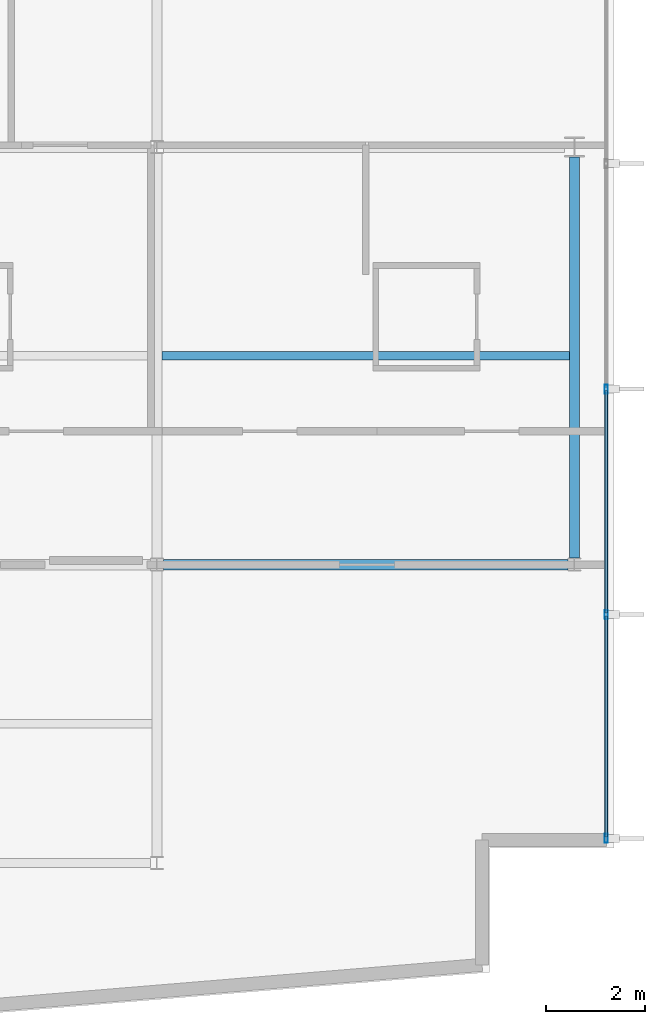
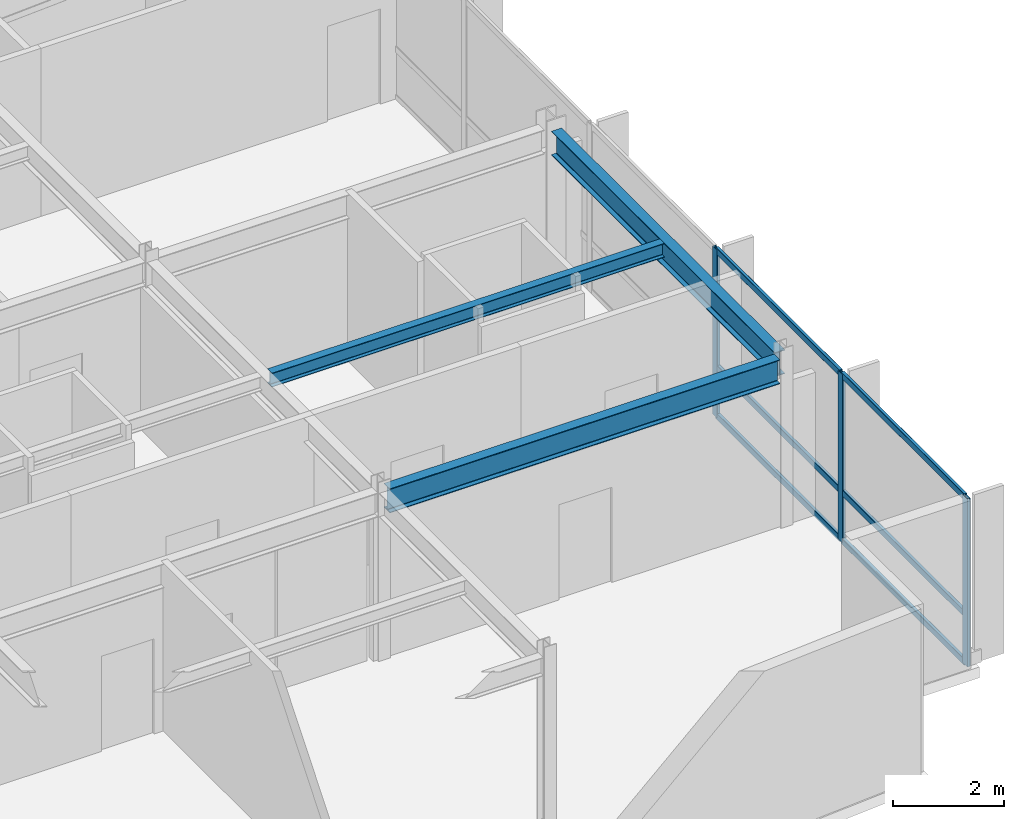
# One storey, part 5 of 16: 9 members, 3 beams, 1 element without a shape of its own.
"""IFC4 building model written with IfcOpenShell, lengths in metres."""

import ifcopenshell
import ifcopenshell.guid

model = None  # the IFC model being written
_history = None  # IfcOwnerHistory: only IFC2X3 demands one
_inside = {}  # id of a spatial element -> (the spatial element, [elements in it])
_under = {}  # id of a project, library or spatial element -> (it, [spatial elements below it])
_declared = {}  # id of a project -> (the project, [libraries it declares])
_typed = {}  # id of a type object -> (the type object, [elements of that type])
_made_of = {}  # id of a material, layer set ... -> (it, [elements and type objects made of it])


def new_model(schema):
    """Start an empty IFC model of exactly this schema.

    Asked for "IFC4X3", IfcOpenShell would pick the latest addendum, in which some entities
    have other attributes; the version numbers below select the first issue.
    IFC2X3 requires an IfcOwnerHistory on every rooted entity: one is made here for all.
    """
    global model, _history
    if schema == "IFC4X3":
        model = ifcopenshell.file(schema_version=(4, 3, 0, 0))
    else:
        model = ifcopenshell.file(schema=schema)
    _inside.clear()
    _under.clear()
    _declared.clear()
    _typed.clear()
    _made_of.clear()
    _history = None
    if model.schema == "IFC2X3":
        org = make("IfcOrganization", Name="unknown")
        user = make(
            "IfcPersonAndOrganization",
            ThePerson=make("IfcPerson", FamilyName="unknown"),
            TheOrganization=org,
        )
        app = make(
            "IfcApplication",
            ApplicationDeveloper=org,
            Version="unknown",
            ApplicationFullName="unknown",
            ApplicationIdentifier="unknown",
        )
        _history = make(
            "IfcOwnerHistory",
            OwningUser=user,
            OwningApplication=app,
            ChangeAction="ADDED",
            CreationDate=0,
        )
    return model


def make(cls, **values):
    """One entity of the class cls with the attributes given. An attribute that is None is left unset."""
    return model.create_entity(
        cls, **{name: value for name, value in values.items() if value is not None}
    )


def rooted(cls, **values):
    """An entity with a GlobalId (a new one), such as an element, a storey or a relation."""
    return make(cls, GlobalId=ifcopenshell.guid.new(), OwnerHistory=_history, **values)


def si_unit(unit_type, name, prefix=None):
    """IfcSIUnit, for example si_unit("LENGTHUNIT", "METRE", prefix="MILLI")."""
    return make("IfcSIUnit", UnitType=unit_type, Prefix=prefix, Name=name)


def assignment(units):
    """IfcUnitAssignment: the units of a project."""
    return None if units is None else make("IfcUnitAssignment", Units=units)


def point(xyz):
    """IfcCartesianPoint."""
    return None if xyz is None else make("IfcCartesianPoint", Coordinates=xyz)


def direction(xyz):
    """IfcDirection."""
    return None if xyz is None else make("IfcDirection", DirectionRatios=xyz)


def frame(location, z_axis=None, x_axis=None):
    """IfcAxis2Placement3D, a coordinate frame: its origin and axes. An axis left out is left unset."""
    return make(
        "IfcAxis2Placement3D",
        Location=point(location),
        Axis=direction(z_axis),
        RefDirection=direction(x_axis),
    )


def frame_2d(location, x_axis=None):
    """IfcAxis2Placement2D, a coordinate frame in the plane: its origin and x axis."""
    return make(
        "IfcAxis2Placement2D", Location=point(location), RefDirection=direction(x_axis)
    )


def origin():
    """The frame at (0, 0, 0) with its axes left unset."""
    return frame((0.0, 0.0, 0.0))


def origin_2d():
    """The frame at (0, 0) in the plane with its x axis left unset."""
    return frame_2d((0.0, 0.0))


def place(relative_to, where):
    """IfcLocalPlacement: puts the frame where relative to a parent placement (None: the world)."""
    return make(
        "IfcLocalPlacement", PlacementRelTo=relative_to, RelativePlacement=where
    )


def context(
    kind, dimensions, precision=None, world=None, true_north=None, identifier=None
):
    """IfcGeometricRepresentationContext, for example the 3D "Model" context."""
    return make(
        "IfcGeometricRepresentationContext",
        ContextIdentifier=identifier,
        ContextType=kind,
        CoordinateSpaceDimension=dimensions,
        Precision=precision,
        WorldCoordinateSystem=world,
        TrueNorth=true_north,
    )


def subcontext(parent, identifier, kind, view, scale=None):
    """IfcGeometricRepresentationSubContext, for example "Body" below "Model"."""
    return make(
        "IfcGeometricRepresentationSubContext",
        ContextIdentifier=identifier,
        ContextType=kind,
        ParentContext=parent,
        TargetScale=scale,
        TargetView=view,
    )


def project(units=None, contexts=None):
    """IfcProject with its units and contexts."""
    return rooted(
        "IfcProject",
        Name="project",
        RepresentationContexts=contexts,
        UnitsInContext=assignment(units),
    )


def spatial(cls, under=None, at=None, **own):
    """A site, building, storey or space (cls), placed at a placement, below another one or the project."""
    s = rooted(cls, ObjectPlacement=at, **own)
    if under is not None:
        _under.setdefault(under.id(), (under, []))[1].append(s)
    return s


def profile(cls, at=None, kind="AREA", **sizes):
    """A parametric profile (cls). Its sizes go by their IFC names, for example OverallWidth=200.0."""
    return make(cls, ProfileType=kind, Position=at, **sizes)


def hollow_rectangle(**sizes):
    """IfcRectangleHollowProfileDef."""
    return profile("IfcRectangleHollowProfileDef", **sizes)


def i_section(**sizes):
    """IfcIShapeProfileDef."""
    return profile("IfcIShapeProfileDef", **sizes)


def extrude(swept, where, along, depth):
    """IfcExtrudedAreaSolid: the profile swept, set in the frame where, extruded along a direction by depth."""
    return make(
        "IfcExtrudedAreaSolid",
        SweptArea=swept,
        Position=where,
        ExtrudedDirection=direction(along),
        Depth=depth,
    )


def shape(context_of_items, identifier, shape_type, items):
    """IfcShapeRepresentation: the items that make up one representation, for example the "Body"."""
    return make(
        "IfcShapeRepresentation",
        ContextOfItems=context_of_items,
        RepresentationIdentifier=identifier,
        RepresentationType=shape_type,
        Items=items,
    )


def material(Name=None, Category=None):
    """IfcMaterial."""
    return make("IfcMaterial", Name=Name, Category=Category)


def layer(
    of_material, thickness, ventilated=None, Name=None, Category=None, Priority=None
):
    """IfcMaterialLayer: one layer of a wall or slab, of a material (None: an air gap)."""
    return make(
        "IfcMaterialLayer",
        Material=of_material,
        LayerThickness=thickness,
        IsVentilated=ventilated,
        Name=Name,
        Category=Category,
        Priority=Priority,
    )


def layer_set(layers, Name=None):
    """IfcMaterialLayerSet."""
    return make("IfcMaterialLayerSet", MaterialLayers=layers, LayerSetName=Name)


def material_profile(
    of_material, cross_section, Name=None, Category=None, Priority=None
):
    """IfcMaterialProfile: a cross section and its material."""
    return make(
        "IfcMaterialProfile",
        Name=Name,
        Material=of_material,
        Profile=cross_section,
        Priority=Priority,
        Category=Category,
    )


def profile_set(profiles, Name=None, composite=None):
    """IfcMaterialProfileSet."""
    return make(
        "IfcMaterialProfileSet",
        Name=Name,
        MaterialProfiles=profiles,
        CompositeProfile=composite,
    )


def made_of(thing, what):
    """Note that an element or type object is made of a material, layer set ...; save() writes the relation."""
    if what is not None:
        _made_of.setdefault(what.id(), (what, []))[1].append(thing)
    return thing


def type_object(cls, material=None, **own):
    """A type object (cls), such as IfcWallType, which elements share."""
    return made_of(rooted(cls, **own), material)


def element(
    cls,
    number,
    at=None,
    inside=None,
    cuts=None,
    type_object=None,
    material=None,
    context=None,
    identifier="Body",
    shape_type=None,
    held_by="IfcProductDefinitionShape",
    body=None,
    shapes=None,
    **own,
):
    """One element of the class cls, such as IfcWall. Its Tag is "e" and its number.

    at: its placement. inside: the storey or other place that contains it. cuts: it is an
    opening in that element (IfcRelVoidsElement). A single representation is given by context,
    identifier, shape_type and body (its items); several are given by shapes. held_by: the class
    of the entity that holds the representations. save() writes the other relations.
    """
    e = rooted(cls, Tag="e%d" % number, ObjectPlacement=at, **own)
    if body is not None:
        shapes = [shape(context, identifier, shape_type, body)]
    if shapes is not None:
        e.Representation = make(held_by, Representations=shapes)
    if inside is not None:
        _inside.setdefault(inside.id(), (inside, []))[1].append(e)
    if cuts is not None:
        rooted(
            "IfcRelVoidsElement", RelatingBuildingElement=cuts, RelatedOpeningElement=e
        )
    if type_object is not None:
        _typed.setdefault(type_object.id(), (type_object, []))[1].append(e)
    return made_of(e, material)


def aggregate(whole, parts):
    """IfcRelAggregates: a whole, such as a stair, and the parts it consists of."""
    return rooted("IfcRelAggregates", RelatingObject=whole, RelatedObjects=parts)


def save(model, path):
    """Write the relations noted so far, then the file.

    IfcRelAggregates (storeys below a building ...), IfcRelContainedInSpatialStructure (elements
    in a storey), IfcRelDefinesByType, IfcRelAssociatesMaterial and IfcRelDeclares: one each for
    every whole, place, type object, material and project.
    """
    for whole, parts in _under.values():
        aggregate(whole, parts)
    for where, things in _inside.values():
        rooted(
            "IfcRelContainedInSpatialStructure",
            RelatedElements=things,
            RelatingStructure=where,
        )
    for kind, things in _typed.values():
        rooted("IfcRelDefinesByType", RelatedObjects=things, RelatingType=kind)
    for what, things in _made_of.values():
        rooted("IfcRelAssociatesMaterial", RelatedObjects=things, RelatingMaterial=what)
    for by, libraries in _declared.values():
        rooted("IfcRelDeclares", RelatingContext=by, RelatedDefinitions=libraries)
    model.write(path)


model = new_model("IFC4")

# Units and contexts
model_context = context("Model", 3, precision=1e-05, world=origin(), true_north=direction((0.0, 1.0)))
body_context = subcontext(model_context, "Body", "Model", "MODEL_VIEW")
ifc_project = project(units=[si_unit("LENGTHUNIT", "METRE"), si_unit("AREAUNIT", "SQUARE_METRE"), si_unit("VOLUMEUNIT", "CUBIC_METRE"), si_unit("PLANEANGLEUNIT", "RADIAN"), si_unit("MASSUNIT", "GRAM", prefix="KILO")], contexts=[model_context])

# Site, building, storey
site_placement = place(None, origin())
site = spatial("IfcSite", under=ifc_project, at=site_placement, CompositionType="ELEMENT")
building_placement = place(site_placement, origin())
building = spatial("IfcBuilding", under=site, at=building_placement, Name="Varnakote Quay Hospital", CompositionType="ELEMENT")
storey_placement = place(building_placement, frame((0.0, 0.0, 188.14990234375)))
storey = spatial("IfcBuildingStorey", under=building, at=storey_placement, Name="L46", CompositionType="ELEMENT", Elevation=188.14990234375)

# Beams
ifc_material_1 = material(Name="Structural steel AS/NZS 3679.1 Grade 350 L0 (fy 340 MPa)", Category="steel")
ifc_material_profile_1 = material_profile(ifc_material_1, i_section(OverallWidth=0.208984375, OverallDepth=0.532958984375, WebThickness=0.01025390625, FlangeThickness=0.015625, FilletRadius=0.013916015625, at=origin_2d()), Name="530UB92.4")
ifc_profile_set_1 = profile_set([ifc_material_profile_1], Name="Structural steel AS/NZS 3679.1 Grade 350 L0 (fy 340 MPa)")
beam_type_1 = type_object("IfcBeamType", Name="BM-STL-530UB92-4", PredefinedType="BEAM", material=ifc_profile_set_1)
beam_1_placement = place(storey_placement, frame((42.1279296875, 12.0, 3.443603515625), z_axis=(1.0, 0.0, 0.0), x_axis=(0.0, 1.0, 0.0)))
element("IfcBeam", 1, at=beam_1_placement, inside=storey, type_object=beam_type_1, Name="L46 Primary Floor Beam", PredefinedType="BEAM", context=body_context, shape_type="SweptSolid", body=[
    extrude(i_section(OverallWidth=0.208984375, OverallDepth=0.532958984375, WebThickness=0.01025390625, FlangeThickness=0.015625, FilletRadius=0.013916015625, at=origin_2d()), origin(), (0.0, 0.0, 1.0), 8.14404296875),
])
beam_2_placement = place(storey_placement, frame((50.39990234375, 12.1298828125, 3.443603515625), z_axis=(0.0, 1.0, 0.0), x_axis=(-1.0, 0.0, 0.0)))
element("IfcBeam", 2, at=beam_2_placement, inside=storey, type_object=beam_type_1, Name="L46 Primary Tie Beam", PredefinedType="BEAM", context=body_context, shape_type="SweptSolid", body=[
    extrude(i_section(OverallWidth=0.208984375, OverallDepth=0.532958984375, WebThickness=0.01025390625, FlangeThickness=0.015625, FilletRadius=0.013916015625, at=origin_2d()), origin(), (0.0, 0.0, 1.0), 8.068115234375),
])

# Curtain wall, members
ifc_material_2 = material(Name="Anodised aluminium 6063-T6 Bronze", Category="aluminium")
ifc_layer = layer(ifc_material_2, 0.219970703125)
ifc_layer_set = layer_set([ifc_layer], Name="Anodised aluminium 6063-T6 Bronze")
curtain_wall_type = type_object("IfcCurtainWallType", Name="CW-SYS-4", PredefinedType="NOTDEFINED", material=ifc_layer_set)
curtain_wall_placement = place(storey_placement, origin())
curtain_wall = element("IfcCurtainWall", 3, at=curtain_wall_placement, inside=storey, type_object=curtain_wall_type, Name="L46 Unitised Bronze Curtain Wall 1", PredefinedType="NOTDEFINED")
ifc_material_3 = material(Name="Anodised aluminium 6063-T6 Bronze", Category="aluminium")
ifc_material_profile_2 = material_profile(ifc_material_3, hollow_rectangle(XDim=0.06494140625, YDim=0.179931640625, WallThickness=0.00390625, InnerFilletRadius=0.00390625, OuterFilletRadius=0.008056640625, at=origin_2d()), Name="CW-MULL-180x65")
ifc_profile_set_2 = profile_set([ifc_material_profile_2], Name="Anodised aluminium 6063-T6 Bronze")
member_type_1 = type_object("IfcMemberType", Name="CW-MULL-180x65", PredefinedType="MULLION", material=ifc_profile_set_2)
member_1_placement = place(storey_placement, frame((51.0400390625, 6.492431640625, 0.0), z_axis=(0.0, 0.0, 1.0), x_axis=(-1.0, 0.0, 0.0)))
member_1 = element("IfcMember", 4, at=member_1_placement, type_object=member_type_1, Name="-4-L46-1 mullion 1", PredefinedType="MULLION", context=body_context, shape_type="SweptSolid", body=[
    extrude(hollow_rectangle(XDim=0.06494140625, YDim=0.179931640625, WallThickness=0.00390625, InnerFilletRadius=0.00390625, OuterFilletRadius=0.008056640625, at=origin_2d()), origin(), (0.0, 0.0, 1.0), 3.710205078125),
])
member_2_placement = place(storey_placement, frame((51.0400390625, 10.99609375, 0.0), z_axis=(0.0, 0.0, 1.0), x_axis=(-1.0, 0.0, 0.0)))
member_2 = element("IfcMember", 5, at=member_2_placement, type_object=member_type_1, Name="-4-L46-1 mullion 2", PredefinedType="MULLION", context=body_context, shape_type="SweptSolid", body=[
    extrude(hollow_rectangle(XDim=0.06494140625, YDim=0.179931640625, WallThickness=0.00390625, InnerFilletRadius=0.00390625, OuterFilletRadius=0.008056640625, at=origin_2d()), origin(), (0.0, 0.0, 1.0), 3.710205078125),
])
member_3_placement = place(storey_placement, frame((51.0400390625, 15.531982421875, 0.0), z_axis=(0.0, 0.0, 1.0), x_axis=(-1.0, 0.0, 0.0)))
member_3 = element("IfcMember", 6, at=member_3_placement, type_object=member_type_1, Name="-4-L46-1 mullion 3", PredefinedType="MULLION", context=body_context, shape_type="SweptSolid", body=[
    extrude(hollow_rectangle(XDim=0.06494140625, YDim=0.179931640625, WallThickness=0.00390625, InnerFilletRadius=0.00390625, OuterFilletRadius=0.008056640625, at=origin_2d()), origin(), (0.0, 0.0, 1.0), 3.710205078125),
])
ifc_material_4 = material(Name="Anodised aluminium 6063-T6 Bronze", Category="aluminium")
ifc_material_profile_3 = material_profile(ifc_material_4, hollow_rectangle(XDim=0.06494140625, YDim=0.139892578125, WallThickness=0.00390625, InnerFilletRadius=0.00390625, OuterFilletRadius=0.007568359375, at=origin_2d()), Name="CW-TRAN-140x65")
ifc_profile_set_3 = profile_set([ifc_material_profile_3], Name="Anodised aluminium 6063-T6 Bronze")
member_type_2 = type_object("IfcMemberType", Name="CW-TRAN-140x65", PredefinedType="USERDEFINED", material=ifc_profile_set_3)
member_4_placement = place(storey_placement, frame((51.0400390625, 6.52490234375, 0.03271484375), z_axis=(0.0, 1.0, 0.0), x_axis=(-1.0, 0.0, 0.0)))
member_4 = element("IfcMember", 7, at=member_4_placement, type_object=member_type_2, Name="-4-L46-1 transom 1.1", ObjectType="TRANSOM", PredefinedType="USERDEFINED", context=body_context, shape_type="SweptSolid", body=[
    extrude(hollow_rectangle(XDim=0.06494140625, YDim=0.139892578125, WallThickness=0.00390625, InnerFilletRadius=0.00390625, OuterFilletRadius=0.007568359375, at=origin_2d()), origin(), (0.0, 0.0, 1.0), 4.4384765625),
])
member_5_placement = place(storey_placement, frame((51.0400390625, 6.52490234375, 1.10009765625), z_axis=(0.0, 1.0, 0.0), x_axis=(-1.0, 0.0, 0.0)))
member_5 = element("IfcMember", 8, at=member_5_placement, type_object=member_type_2, Name="-4-L46-1 transom 1.2", ObjectType="TRANSOM", PredefinedType="USERDEFINED", context=body_context, shape_type="SweptSolid", body=[
    extrude(hollow_rectangle(XDim=0.06494140625, YDim=0.139892578125, WallThickness=0.00390625, InnerFilletRadius=0.00390625, OuterFilletRadius=0.007568359375, at=origin_2d()), origin(), (0.0, 0.0, 1.0), 4.4384765625),
])
member_6_placement = place(storey_placement, frame((51.0400390625, 6.52490234375, 3.677490234375), z_axis=(0.0, 1.0, 0.0), x_axis=(-1.0, 0.0, 0.0)))
member_6 = element("IfcMember", 9, at=member_6_placement, type_object=member_type_2, Name="-4-L46-1 transom 1.3", ObjectType="TRANSOM", PredefinedType="USERDEFINED", context=body_context, shape_type="SweptSolid", body=[
    extrude(hollow_rectangle(XDim=0.06494140625, YDim=0.139892578125, WallThickness=0.00390625, InnerFilletRadius=0.00390625, OuterFilletRadius=0.007568359375, at=origin_2d()), origin(), (0.0, 0.0, 1.0), 4.4384765625),
])
member_7_placement = place(storey_placement, frame((51.0400390625, 11.028564453125, 0.03271484375), z_axis=(0.0, 1.0, 0.0), x_axis=(-1.0, 0.0, 0.0)))
member_7 = element("IfcMember", 10, at=member_7_placement, type_object=member_type_2, Name="-4-L46-1 transom 2.1", ObjectType="TRANSOM", PredefinedType="USERDEFINED", context=body_context, shape_type="SweptSolid", body=[
    extrude(hollow_rectangle(XDim=0.06494140625, YDim=0.139892578125, WallThickness=0.00390625, InnerFilletRadius=0.00390625, OuterFilletRadius=0.007568359375, at=origin_2d()), origin(), (0.0, 0.0, 1.0), 4.470947265625),
])
member_8_placement = place(storey_placement, frame((51.0400390625, 11.028564453125, 1.10009765625), z_axis=(0.0, 1.0, 0.0), x_axis=(-1.0, 0.0, 0.0)))
member_8 = element("IfcMember", 11, at=member_8_placement, type_object=member_type_2, Name="-4-L46-1 transom 2.2", ObjectType="TRANSOM", PredefinedType="USERDEFINED", context=body_context, shape_type="SweptSolid", body=[
    extrude(hollow_rectangle(XDim=0.06494140625, YDim=0.139892578125, WallThickness=0.00390625, InnerFilletRadius=0.00390625, OuterFilletRadius=0.007568359375, at=origin_2d()), origin(), (0.0, 0.0, 1.0), 4.470947265625),
])
member_9_placement = place(storey_placement, frame((51.0400390625, 11.028564453125, 3.677490234375), z_axis=(0.0, 1.0, 0.0), x_axis=(-1.0, 0.0, 0.0)))
member_9 = element("IfcMember", 12, at=member_9_placement, type_object=member_type_2, Name="-4-L46-1 transom 2.3", ObjectType="TRANSOM", PredefinedType="USERDEFINED", context=body_context, shape_type="SweptSolid", body=[
    extrude(hollow_rectangle(XDim=0.06494140625, YDim=0.139892578125, WallThickness=0.00390625, InnerFilletRadius=0.00390625, OuterFilletRadius=0.007568359375, at=origin_2d()), origin(), (0.0, 0.0, 1.0), 4.470947265625),
])
aggregate(curtain_wall, [member_1, member_2, member_3, member_4, member_5, member_6, member_7, member_8, member_9])

# Beam
ifc_material_5 = material(Name="Structural steel AS/NZS 3679.1 Grade 350 L0 (fy 340 MPa)", Category="steel")
ifc_material_profile_4 = material_profile(ifc_material_5, i_section(OverallWidth=0.166015625, OverallDepth=0.306884765625, WebThickness=0.006591796875, FlangeThickness=0.01171875, FilletRadius=0.011474609375, at=origin_2d()), Name="310UB46.2")
ifc_profile_set_4 = profile_set([ifc_material_profile_4], Name="Structural steel AS/NZS 3679.1 Grade 350 L0 (fy 340 MPa)")
beam_type_2 = type_object("IfcBeamType", Name="JST-STL-310UB46-2", PredefinedType="JOIST", material=ifc_profile_set_4)
beam_3_placement = place(storey_placement, frame((42.1044921875, 16.199951171875, 3.556640625), z_axis=(1.0, 0.0, 0.0), x_axis=(0.0, 1.0, 0.0)))
element("IfcBeam", 13, at=beam_3_placement, inside=storey, type_object=beam_type_2, Name="L46 Composite Floor Joist", PredefinedType="JOIST", context=body_context, shape_type="SweptSolid", body=[
    extrude(i_section(OverallWidth=0.166015625, OverallDepth=0.306884765625, WebThickness=0.006591796875, FlangeThickness=0.01171875, FilletRadius=0.011474609375, at=origin_2d()), origin(), (0.0, 0.0, 1.0), 8.19091796875),
])

save(model, "model.ifc")
